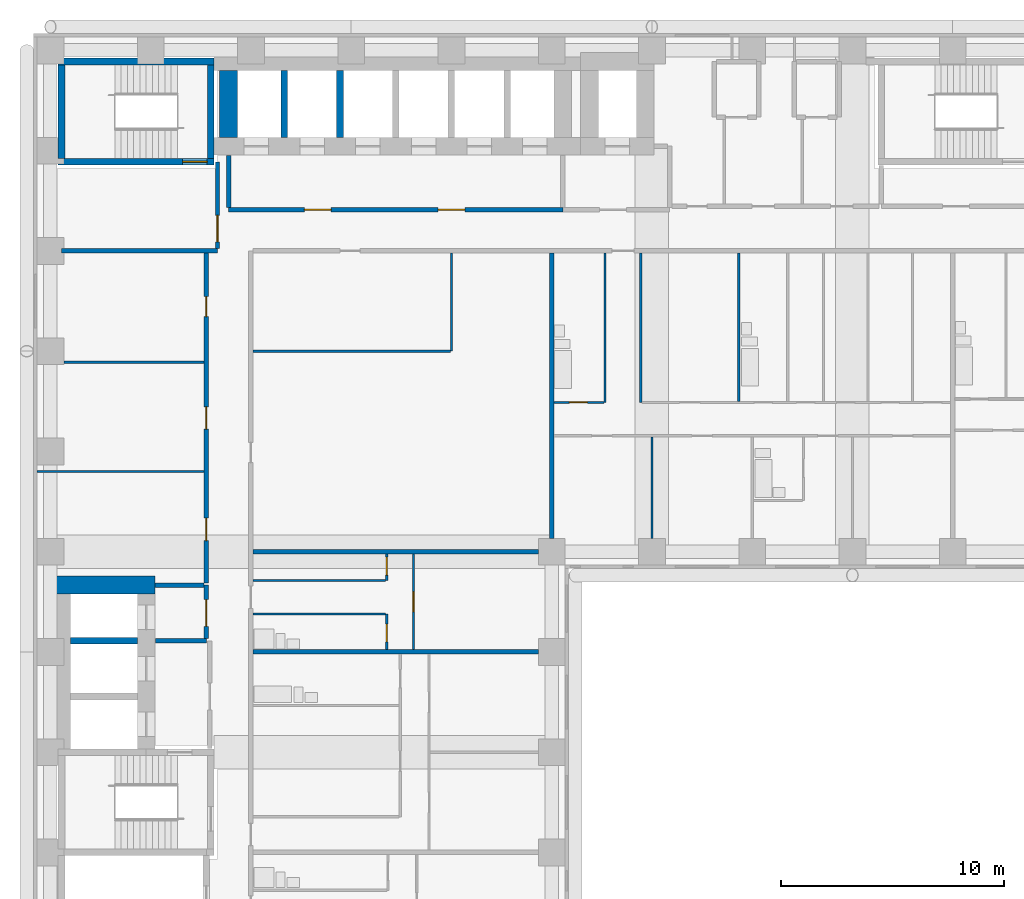
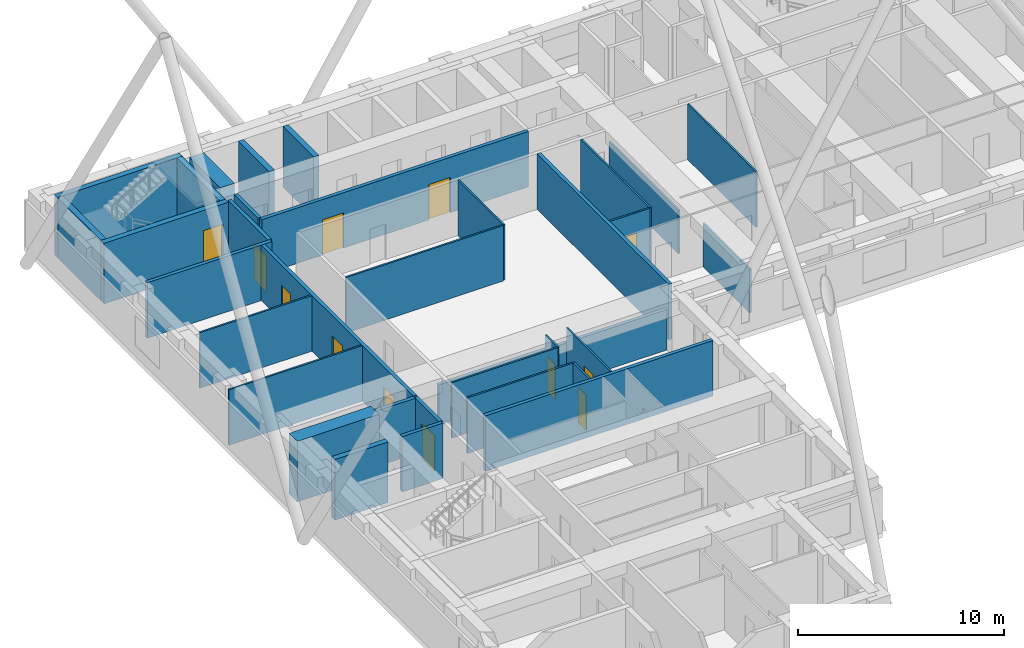
# One storey, part 5 of 13: 34 walls, 12 doors, 12 openings.
"""IFC4 building model written with IfcOpenShell, lengths in metres."""

from ifc_helpers import new_model, si_unit, direction, frame, frame_2d, origin, place, context, subcontext, project, spatial, rectangle, extrude, material, layer, layer_set, type_object, element, fill, save


model = new_model("IFC4")

# Units and contexts
model_context = context("Model", 3, precision=1e-05, world=origin(), true_north=direction((0.0, 1.0)))
body_context = subcontext(model_context, "Body", "Model", "MODEL_VIEW")
ifc_project = project(units=[si_unit("LENGTHUNIT", "METRE"), si_unit("AREAUNIT", "SQUARE_METRE"), si_unit("VOLUMEUNIT", "CUBIC_METRE"), si_unit("PLANEANGLEUNIT", "RADIAN"), si_unit("MASSUNIT", "GRAM", prefix="KILO")], contexts=[model_context])

# Site, building, storey
site_placement = place(None, origin())
site = spatial("IfcSite", under=ifc_project, at=site_placement, CompositionType="ELEMENT")
building_placement = place(site_placement, origin())
building = spatial("IfcBuilding", under=site, at=building_placement, Name="Firuza Court", CompositionType="ELEMENT")
storey_placement = place(building_placement, frame((0.0, 0.0, 50.60009765625)))
storey = spatial("IfcBuildingStorey", under=building, at=storey_placement, Name="L11", CompositionType="ELEMENT", Elevation=50.60009765625)

# Walls
ifc_material_1 = material(Name="Moisture-resistant gypsum board partition")
ifc_layer_1 = layer(ifc_material_1, 0.10009765625)
ifc_layer_set_1 = layer_set([ifc_layer_1], Name="Moisture-resistant gypsum board partition")
wall_type_1 = type_object("IfcWallType", Name="Bathroom partition 100", PredefinedType="PLUMBINGWALL", material=ifc_layer_set_1)
wall_1_placement = place(storey_placement, frame((9.10009765625, 33.199951171875, 0.0), z_axis=(0.0, 0.0, 1.0), x_axis=(1.0, 0.0, 0.0)))
element("IfcWall", 1, at=wall_1_placement, inside=storey, type_object=wall_type_1, Name="Bathroom partition 100 L11", PredefinedType="PLUMBINGWALL", context=body_context, shape_type="SweptSolid", body=[
    extrude(rectangle(XDim=5.949951171875, YDim=0.10009765625, at=frame_2d((2.97509765625, 0.0))), origin(), (0.0, 0.0, 1.0), 3.2998046875),
])
wall_2_placement = place(storey_placement, frame((24.89990234375, 42.699951171875, 0.0), z_axis=(0.0, 0.0, 1.0), x_axis=(0.0, 1.0, 0.0)))
element("IfcWall", 2, at=wall_2_placement, inside=storey, type_object=wall_type_1, Name="Bathroom partition 100 L11", PredefinedType="PLUMBINGWALL", context=body_context, shape_type="SweptSolid", body=[
    extrude(rectangle(XDim=6.699951171875, YDim=0.10009765625, at=frame_2d((3.35009765625, 0.0))), origin(), (0.0, 0.0, 1.0), 3.2998046875),
])
wall_3_placement = place(storey_placement, frame((30.89990234375, 42.75, 0.0), z_axis=(0.0, 0.0, 1.0), x_axis=(0.0, 1.0, 0.0)))
element("IfcWall", 3, at=wall_3_placement, inside=storey, type_object=wall_type_1, Name="Bathroom partition 100 L11", PredefinedType="PLUMBINGWALL", context=body_context, shape_type="SweptSolid", body=[
    extrude(rectangle(XDim=6.64990234375, YDim=0.10009765625, at=frame_2d((3.324951171875, 0.0))), origin(), (0.0, 0.0, 1.0), 3.2998046875),
])

# Wall, opening, door
ifc_material_2 = material(Name="Concrete C60/75", Category="concrete")
ifc_layer_2 = layer(ifc_material_2, 0.300048828125)
ifc_layer_set_2 = layer_set([ifc_layer_2], Name="Concrete C60/75")
wall_type_2 = type_object("IfcWallType", Name="Core wall 300 C60/75", PredefinedType="SHEAR", material=ifc_layer_set_2)
wall_4_placement = place(storey_placement, frame((0.35009765625, 53.5, -0.300048828125), z_axis=(0.0, 0.0, 1.0), x_axis=(1.0, 0.0, 0.0)))
wall_4 = element("IfcWall", 4, at=wall_4_placement, inside=storey, type_object=wall_type_2, Name="Core wall stair L11", PredefinedType="SHEAR", context=body_context, shape_type="SweptSolid", body=[
    extrude(rectangle(XDim=7.0, YDim=0.300048828125, at=frame_2d((3.5, 0.0))), origin(), (0.0, 0.0, 1.0), 3.599853515625),
])
opening_1_placement = place(wall_4_placement, frame((5.580078125, 0.0, 0.300048828125)))
opening_1 = element("IfcOpeningElement", 5, at=opening_1_placement, cuts=wall_4, Name="Opening D11016", PredefinedType="OPENING", context=body_context, shape_type="SweptSolid", body=[
    extrude(rectangle(XDim=1.10009765625, YDim=2.10009765625, at=frame_2d((0.550048828125, 1.050048828125))), frame((0.0, 0.162109375, 0.0), z_axis=(0.0, -1.0, 0.0), x_axis=(1.0, 0.0, 0.0)), (0.0, 0.0, 1.0), 0.323974609375),
])
ifc_material_3 = material(Name="Timber door leaf in hardwood frame", Category="wood")
door_type_1 = type_object("IfcDoorType", Name="Stair door 1100", OperationType="SINGLE_SWING_LEFT", PredefinedType="DOOR", material=ifc_material_3)
door_1_placement = place(opening_1_placement, origin())
door_1 = element("IfcDoor", 6, at=door_1_placement, inside=storey, type_object=door_type_1, Name="Stair door S3", OperationType="SINGLE_SWING_RIGHT", OverallHeight=2.10009765625, OverallWidth=1.10009765625, PredefinedType="DOOR", context=body_context, shape_type="SweptSolid", body=[
    extrude(rectangle(XDim=1.10009765625, YDim=2.10009765625, at=frame_2d((0.550048828125, 1.050048828125))), frame((0.0, 0.02490234375, 0.0), z_axis=(0.0, -1.0, 0.0), x_axis=(1.0, 0.0, 0.0)), (0.0, 0.0, 1.0), 0.050048828125),
])
fill(opening_1, door_1)

# Walls
wall_5_placement = place(storey_placement, frame((0.35009765625, 58.0, -0.300048828125), z_axis=(0.0, 0.0, 1.0), x_axis=(1.0, 0.0, 0.0)))
element("IfcWall", 7, at=wall_5_placement, inside=storey, type_object=wall_type_2, Name="Core wall stair L11", PredefinedType="SHEAR", context=body_context, shape_type="SweptSolid", body=[
    extrude(rectangle(XDim=7.0, YDim=0.300048828125, at=frame_2d((3.5, 0.0))), origin(), (0.0, 0.0, 1.0), 3.599853515625),
])
wall_6_placement = place(storey_placement, frame((0.5, 53.64990234375, -0.300048828125), z_axis=(0.0, 0.0, 1.0), x_axis=(0.0, 1.0, 0.0)))
element("IfcWall", 8, at=wall_6_placement, inside=storey, type_object=wall_type_2, Name="Core wall stair L11", PredefinedType="SHEAR", context=body_context, shape_type="SweptSolid", body=[
    extrude(rectangle(XDim=4.2001953125, YDim=0.300048828125, at=frame_2d((2.10009765625, 0.0))), origin(), (0.0, 0.0, 1.0), 3.599853515625),
])
wall_7_placement = place(storey_placement, frame((0.89990234375, 32.0, -0.300048828125), z_axis=(0.0, 0.0, 1.0), x_axis=(1.0, 0.0, 0.0)))
element("IfcWall", 9, at=wall_7_placement, inside=storey, type_object=wall_type_2, Name="Core wall lift shaft L11", PredefinedType="SHEAR", context=body_context, shape_type="SweptSolid", body=[
    extrude(rectangle(XDim=3.0, YDim=0.300048828125, at=frame_2d((1.5, 0.0))), origin(), (0.0, 0.0, 1.0), 3.599853515625),
])
wall_8_placement = place(storey_placement, frame((7.199951171875, 53.64990234375, -0.300048828125), z_axis=(0.0, 0.0, 1.0), x_axis=(0.0, 1.0, 0.0)))
element("IfcWall", 10, at=wall_8_placement, inside=storey, type_object=wall_type_2, Name="Core wall stair L11", PredefinedType="SHEAR", context=body_context, shape_type="SweptSolid", body=[
    extrude(rectangle(XDim=4.2001953125, YDim=0.300048828125, at=frame_2d((2.10009765625, 0.0))), origin(), (0.0, 0.0, 1.0), 3.599853515625),
])
for number, where, z_axis, x_axis, name in (
    (11, (10.5, 54.60009765625, -0.300048828125), (0.0, 0.0, 1.0), (0.0, 1.0, 0.0), "Core wall lift shaft L11"),
    (12, (13.0, 54.60009765625, -0.300048828125), (0.0, 0.0, 1.0), (0.0, 1.0, 0.0), "Core wall lift shaft L11"),
):
    element("IfcWall", number, at=place(storey_placement, frame(where, z_axis=z_axis, x_axis=x_axis)), inside=storey, type_object=wall_type_2, Name=name, PredefinedType="SHEAR", context=body_context, shape_type="SweptSolid", body=[
        extrude(rectangle(XDim=3.0, YDim=0.300048828125, at=frame_2d((1.5, 0.0))), origin(), (0.0, 0.0, 1.0), 3.599853515625),
    ])
ifc_layer_3 = layer(ifc_material_2, 0.800048828125)
ifc_layer_set_3 = layer_set([ifc_layer_3], Name="Concrete C60/75")
wall_type_3 = type_object("IfcWallType", Name="Core wall 800 C60/75", PredefinedType="SHEAR", material=ifc_layer_set_3)
wall_9_placement = place(storey_placement, frame((0.10009765625, 34.5, -0.300048828125), z_axis=(0.0, 0.0, 1.0), x_axis=(1.0, 0.0, 0.0)))
element("IfcWall", 13, at=wall_9_placement, inside=storey, type_object=wall_type_3, Name="Core wall lift shaft L11", PredefinedType="SHEAR", context=body_context, shape_type="SweptSolid", body=[
    extrude(rectangle(XDim=4.599853515625, YDim=0.800048828125, at=frame_2d((2.2998046875, 0.0))), origin(), (0.0, 0.0, 1.0), 3.599853515625),
])
wall_10_placement = place(storey_placement, frame((8.0, 54.60009765625, -0.300048828125), z_axis=(0.0, 0.0, 1.0), x_axis=(0.0, 1.0, 0.0)))
element("IfcWall", 14, at=wall_10_placement, inside=storey, type_object=wall_type_3, Name="Core wall lift shaft L11", PredefinedType="SHEAR", context=body_context, shape_type="SweptSolid", body=[
    extrude(rectangle(XDim=3.0, YDim=0.800048828125, at=frame_2d((1.5, 0.0))), origin(), (0.0, 0.0, 1.0), 3.599853515625),
])

# Wall, openings, doors
ifc_material_4 = material(Name="Blockwork, plastered both sides", Category="masonry")
ifc_layer_4 = layer(ifc_material_4, 0.199951171875)
ifc_layer_set_4 = layer_set([ifc_layer_4], Name="Blockwork, plastered both sides")
wall_type_4 = type_object("IfcWallType", Name="Corridor wall 200", PredefinedType="PARTITIONING", material=ifc_layer_set_4)
wall_11_placement = place(storey_placement, frame((7.0, 34.60009765625, 0.0), z_axis=(0.0, 0.0, 1.0), x_axis=(0.0, 1.0, 0.0)))
wall_11 = element("IfcWall", 15, at=wall_11_placement, inside=storey, type_object=wall_type_4, Name="Corridor wall 200 L11", PredefinedType="PARTITIONING", context=body_context, shape_type="SweptSolid", body=[
    extrude(rectangle(XDim=14.7998046875, YDim=0.199951171875, at=frame_2d((7.39990234375, 0.0))), origin(), (0.0, 0.0, 1.0), 3.2998046875),
])
opening_2_placement = place(wall_11_placement, frame((1.89990234375, 0.0, 0.0)))
opening_2 = element("IfcOpeningElement", 16, at=opening_2_placement, cuts=wall_11, Name="Opening D11039", PredefinedType="OPENING", context=body_context, shape_type="SweptSolid", body=[
    extrude(rectangle(XDim=1.0, YDim=2.10009765625, at=frame_2d((0.5, 1.050048828125))), frame((0.0, 0.11181640625, 0.0), z_axis=(0.0, -1.0, 0.0), x_axis=(1.0, 0.0, 0.0)), (0.0, 0.0, 1.0), 0.223876953125),
])
opening_3_placement = place(wall_11_placement, frame((6.89990234375, 0.0, 0.0)))
opening_3 = element("IfcOpeningElement", 17, at=opening_3_placement, cuts=wall_11, Name="Opening D11040", PredefinedType="OPENING", context=body_context, shape_type="SweptSolid", body=[
    extrude(rectangle(XDim=1.0, YDim=2.10009765625, at=frame_2d((0.5, 1.050048828125))), frame((0.0, 0.11181640625, 0.0), z_axis=(0.0, -1.0, 0.0), x_axis=(1.0, 0.0, 0.0)), (0.0, 0.0, 1.0), 0.223876953125),
])
opening_4_placement = place(wall_11_placement, frame((11.949951171875, 0.0, 0.0)))
opening_4 = element("IfcOpeningElement", 18, at=opening_4_placement, cuts=wall_11, Name="Opening D11041", PredefinedType="OPENING", context=body_context, shape_type="SweptSolid", body=[
    extrude(rectangle(XDim=0.89990234375, YDim=2.10009765625, at=frame_2d((0.449951171875, 1.050048828125))), frame((0.0, 0.11181640625, 0.0), z_axis=(0.0, -1.0, 0.0), x_axis=(1.0, 0.0, 0.0)), (0.0, 0.0, 1.0), 0.223876953125),
])
ifc_material_5 = material(Name="Timber door leaf in hardwood frame", Category="wood")
door_type_2 = type_object("IfcDoorType", Name="Room door 900 EI 30", OperationType="SINGLE_SWING_LEFT", PredefinedType="DOOR", material=ifc_material_5)
door_2_placement = place(opening_4_placement, origin())
door_2 = element("IfcDoor", 19, at=door_2_placement, inside=storey, type_object=door_type_2, Name="Meeting room door", OperationType="SINGLE_SWING_LEFT", OverallHeight=2.10009765625, OverallWidth=0.89990234375, PredefinedType="DOOR", context=body_context, shape_type="SweptSolid", body=[
    extrude(rectangle(XDim=0.89990234375, YDim=2.10009765625, at=frame_2d((0.449951171875, 1.050048828125))), frame((0.0, 0.02490234375, 0.0), z_axis=(0.0, -1.0, 0.0), x_axis=(1.0, 0.0, 0.0)), (0.0, 0.0, 1.0), 0.050048828125),
])
fill(opening_4, door_2)
ifc_material_6 = material(Name="Timber door leaf in hardwood frame", Category="wood")
door_type_3 = type_object("IfcDoorType", Name="Store door 1000", OperationType="SINGLE_SWING_LEFT", PredefinedType="DOOR", material=ifc_material_6)
door_3_placement = place(opening_2_placement, origin())
door_3 = element("IfcDoor", 20, at=door_3_placement, inside=storey, type_object=door_type_3, Name="Comms room door", OperationType="SINGLE_SWING_LEFT", OverallHeight=2.10009765625, OverallWidth=1.0, PredefinedType="DOOR", context=body_context, shape_type="SweptSolid", body=[
    extrude(rectangle(XDim=1.0, YDim=2.10009765625, at=frame_2d((0.5, 1.050048828125))), frame((0.0, 0.02490234375, 0.0), z_axis=(0.0, -1.0, 0.0), x_axis=(1.0, 0.0, 0.0)), (0.0, 0.0, 1.0), 0.050048828125),
])
fill(opening_2, door_3)
door_4_placement = place(opening_3_placement, origin())
door_4 = element("IfcDoor", 21, at=door_4_placement, inside=storey, type_object=door_type_3, Name="Bicycle store door", OperationType="SINGLE_SWING_LEFT", OverallHeight=2.10009765625, OverallWidth=1.0, PredefinedType="DOOR", context=body_context, shape_type="SweptSolid", body=[
    extrude(rectangle(XDim=1.0, YDim=2.10009765625, at=frame_2d((0.5, 1.050048828125))), frame((0.0, 0.02490234375, 0.0), z_axis=(0.0, -1.0, 0.0), x_axis=(1.0, 0.0, 0.0)), (0.0, 0.0, 1.0), 0.050048828125),
])
fill(opening_3, door_4)

# Wall, opening, door
ifc_material_7 = material(Name="Timber stud partition, plasterboard both sides", Category="wood")
ifc_layer_5 = layer(ifc_material_7, 0.10009765625)
ifc_layer_set_5 = layer_set([ifc_layer_5], Name="Timber stud partition, plasterboard both sides")
wall_type_5 = type_object("IfcWallType", Name="Partition wall 100", PredefinedType="PARTITIONING", material=ifc_layer_set_5)
wall_12_placement = place(storey_placement, frame((15.10009765625, 31.60009765625, 0.0), z_axis=(0.0, 0.0, 1.0), x_axis=(0.0, 1.0, 0.0)))
wall_12 = element("IfcWall", 22, at=wall_12_placement, inside=storey, type_object=wall_type_5, Name="Partition wall 100 L11", PredefinedType="PARTITIONING", context=body_context, shape_type="SweptSolid", body=[
    extrude(rectangle(XDim=1.599853515625, YDim=0.10009765625, at=frame_2d((0.7998046875, 0.0))), origin(), (0.0, 0.0, 1.0), 3.2998046875),
])
opening_5_placement = place(wall_12_placement, frame((0.35009765625, 0.0, 0.0)))
opening_5 = element("IfcOpeningElement", 23, at=opening_5_placement, cuts=wall_12, Name="Opening D11037", PredefinedType="OPENING", context=body_context, shape_type="SweptSolid", body=[
    extrude(rectangle(XDim=0.800048828125, YDim=2.10009765625, at=frame_2d((0.39990234375, 1.050048828125))), frame((0.0, 0.06201171875, 0.0), z_axis=(0.0, -1.0, 0.0), x_axis=(1.0, 0.0, 0.0)), (0.0, 0.0, 1.0), 0.1240234375),
])
ifc_material_8 = material(Name="Timber door leaf in hardwood frame", Category="wood")
door_type_4 = type_object("IfcDoorType", Name="Bathroom door 800", OperationType="SINGLE_SWING_LEFT", PredefinedType="DOOR", material=ifc_material_8)
door_5_placement = place(opening_5_placement, origin())
door_5 = element("IfcDoor", 24, at=door_5_placement, inside=storey, type_object=door_type_4, Name="Bathroom door", OperationType="SINGLE_SWING_LEFT", OverallHeight=2.10009765625, OverallWidth=0.800048828125, PredefinedType="DOOR", context=body_context, shape_type="SweptSolid", body=[
    extrude(rectangle(XDim=0.800048828125, YDim=2.10009765625, at=frame_2d((0.39990234375, 1.050048828125))), frame((0.0, 0.02490234375, 0.0), z_axis=(0.0, -1.0, 0.0), x_axis=(1.0, 0.0, 0.0)), (0.0, 0.0, 1.0), 0.050048828125),
])
fill(opening_5, door_5)

wall_13_placement = place(storey_placement, frame((16.300048828125, 31.60009765625, 0.0), z_axis=(0.0, 0.0, 1.0), x_axis=(0.0, 1.0, 0.0)))
wall_13 = element("IfcWall", 25, at=wall_13_placement, inside=storey, type_object=wall_type_5, Name="Partition wall 100 L11", PredefinedType="PARTITIONING", context=body_context, shape_type="SweptSolid", body=[
    extrude(rectangle(XDim=4.2998046875, YDim=0.10009765625, at=frame_2d((2.14990234375, 0.0))), origin(), (0.0, 0.0, 1.0), 3.2998046875),
])
opening_6_placement = place(wall_13_placement, frame((1.699951171875, 0.0, 0.0)))
opening_6 = element("IfcOpeningElement", 26, at=opening_6_placement, cuts=wall_13, Name="Opening D11038", PredefinedType="OPENING", context=body_context, shape_type="SweptSolid", body=[
    extrude(rectangle(XDim=0.89990234375, YDim=2.10009765625, at=frame_2d((0.449951171875, 1.050048828125))), frame((0.0, 0.06201171875, 0.0), z_axis=(0.0, -1.0, 0.0), x_axis=(1.0, 0.0, 0.0)), (0.0, 0.0, 1.0), 0.1240234375),
])
ifc_material_9 = material(Name="Timber door leaf in hardwood frame", Category="wood")
door_type_5 = type_object("IfcDoorType", Name="Room door 900", OperationType="SINGLE_SWING_LEFT", PredefinedType="DOOR", material=ifc_material_9)
door_6_placement = place(opening_6_placement, frame((0.89990234375, 0.0, 0.0), z_axis=(0.0, 0.0, 1.0), x_axis=(-1.0, 0.0, 0.0)))
door_6 = element("IfcDoor", 27, at=door_6_placement, inside=storey, type_object=door_type_5, Name="Studio room door", OperationType="SINGLE_SWING_RIGHT", OverallHeight=2.10009765625, OverallWidth=0.89990234375, PredefinedType="DOOR", context=body_context, shape_type="SweptSolid", body=[
    extrude(rectangle(XDim=0.89990234375, YDim=2.10009765625, at=frame_2d((0.449951171875, 1.050048828125))), frame((0.0, 0.02490234375, 0.0), z_axis=(0.0, -1.0, 0.0), x_axis=(1.0, 0.0, 0.0)), (0.0, 0.0, 1.0), 0.050048828125),
])
fill(opening_6, door_6)

# Wall
wall_14_placement = place(storey_placement, frame((9.10009765625, 34.699951171875, 0.0), z_axis=(0.0, 0.0, 1.0), x_axis=(1.0, 0.0, 0.0)))
element("IfcWall", 28, at=wall_14_placement, inside=storey, type_object=wall_type_5, Name="Partition wall 100 L11", PredefinedType="PARTITIONING", context=body_context, shape_type="SweptSolid", body=[
    extrude(rectangle(XDim=5.949951171875, YDim=0.10009765625, at=frame_2d((2.97509765625, 0.0))), origin(), (0.0, 0.0, 1.0), 3.2998046875),
])

# Wall, opening, door
wall_15_placement = place(storey_placement, frame((15.10009765625, 34.699951171875, 0.0), z_axis=(0.0, 0.0, 1.0), x_axis=(0.0, 1.0, 0.0)))
wall_15 = element("IfcWall", 29, at=wall_15_placement, inside=storey, type_object=wall_type_5, Name="Partition wall 100 L11", PredefinedType="PARTITIONING", context=body_context, shape_type="SweptSolid", body=[
    extrude(rectangle(XDim=1.199951171875, YDim=0.10009765625, at=frame_2d((0.60009765625, 0.0))), origin(), (0.0, 0.0, 1.0), 3.2998046875),
])
opening_7_placement = place(wall_15_placement, frame((0.25, 0.0, 0.0)))
opening_7 = element("IfcOpeningElement", 30, at=opening_7_placement, cuts=wall_15, Name="Opening D11042", PredefinedType="OPENING", context=body_context, shape_type="SweptSolid", body=[
    extrude(rectangle(XDim=0.800048828125, YDim=2.10009765625, at=frame_2d((0.39990234375, 1.050048828125))), frame((0.0, 0.06201171875, 0.0), z_axis=(0.0, -1.0, 0.0), x_axis=(1.0, 0.0, 0.0)), (0.0, 0.0, 1.0), 0.1240234375),
])
ifc_material_10 = material(Name="Timber door leaf in hardwood frame", Category="wood")
door_type_6 = type_object("IfcDoorType", Name="Room door 800", OperationType="SINGLE_SWING_LEFT", PredefinedType="DOOR", material=ifc_material_10)
door_7_placement = place(opening_7_placement, origin())
door_7 = element("IfcDoor", 31, at=door_7_placement, inside=storey, type_object=door_type_6, Name="Kitchen door", OperationType="SINGLE_SWING_LEFT", OverallHeight=2.10009765625, OverallWidth=0.800048828125, PredefinedType="DOOR", context=body_context, shape_type="SweptSolid", body=[
    extrude(rectangle(XDim=0.800048828125, YDim=2.10009765625, at=frame_2d((0.39990234375, 1.050048828125))), frame((0.0, 0.02490234375, 0.0), z_axis=(0.0, -1.0, 0.0), x_axis=(1.0, 0.0, 0.0)), (0.0, 0.0, 1.0), 0.050048828125),
])
fill(opening_7, door_7)

# Walls
wall_16_placement = place(storey_placement, frame((27.0, 36.60009765625, 0.0), z_axis=(0.0, 0.0, 1.0), x_axis=(0.0, 1.0, 0.0)))
element("IfcWall", 32, at=wall_16_placement, inside=storey, type_object=wall_type_5, Name="Partition wall 100 L11", PredefinedType="PARTITIONING", context=body_context, shape_type="SweptSolid", body=[
    extrude(rectangle(XDim=4.5498046875, YDim=0.10009765625, at=frame_2d((2.27490234375, 0.0))), origin(), (0.0, 0.0, 1.0), 2.599853515625),
])
wall_17_placement = place(storey_placement, frame((-0.60009765625, 39.60009765625, 0.0), z_axis=(0.0, 0.0, 1.0), x_axis=(1.0, 0.0, 0.0)))
element("IfcWall", 33, at=wall_17_placement, inside=storey, type_object=wall_type_5, Name="Partition wall 100 L11", PredefinedType="PARTITIONING", context=body_context, shape_type="SweptSolid", body=[
    extrude(rectangle(XDim=7.5, YDim=0.10009765625, at=frame_2d((3.75, 0.0))), origin(), (0.0, 0.0, 1.0), 3.2998046875),
])

# Wall, opening, door
wall_18_placement = place(storey_placement, frame((22.60009765625, 42.699951171875, 0.0), z_axis=(0.0, 0.0, 1.0), x_axis=(1.0, 0.0, 0.0)))
wall_18 = element("IfcWall", 34, at=wall_18_placement, inside=storey, type_object=wall_type_5, Name="Partition wall 100 L11", PredefinedType="PARTITIONING", context=body_context, shape_type="SweptSolid", body=[
    extrude(rectangle(XDim=2.25, YDim=0.10009765625, at=frame_2d((1.125, 0.0))), origin(), (0.0, 0.0, 1.0), 3.2998046875),
])
opening_8_placement = place(wall_18_placement, frame((0.699951171875, 0.0, 0.0)))
opening_8 = element("IfcOpeningElement", 35, at=opening_8_placement, cuts=wall_18, Name="Opening D11054", PredefinedType="OPENING", context=body_context, shape_type="SweptSolid", body=[
    extrude(rectangle(XDim=0.800048828125, YDim=2.10009765625, at=frame_2d((0.39990234375, 1.050048828125))), frame((0.0, 0.06201171875, 0.0), z_axis=(0.0, -1.0, 0.0), x_axis=(1.0, 0.0, 0.0)), (0.0, 0.0, 1.0), 0.1240234375),
])
door_8_placement = place(opening_8_placement, origin())
door_8 = element("IfcDoor", 36, at=door_8_placement, inside=storey, type_object=door_type_4, Name="Bathroom door", OperationType="SINGLE_SWING_LEFT", OverallHeight=2.10009765625, OverallWidth=0.800048828125, PredefinedType="DOOR", context=body_context, shape_type="SweptSolid", body=[
    extrude(rectangle(XDim=0.800048828125, YDim=2.10009765625, at=frame_2d((0.39990234375, 1.050048828125))), frame((0.0, 0.02490234375, 0.0), z_axis=(0.0, -1.0, 0.0), x_axis=(1.0, 0.0, 0.0)), (0.0, 0.0, 1.0), 0.050048828125),
])
fill(opening_8, door_8)

# Walls
wall_19_placement = place(storey_placement, frame((26.5, 42.699951171875, 0.0), z_axis=(0.0, 0.0, 1.0), x_axis=(0.0, 1.0, 0.0)))
element("IfcWall", 37, at=wall_19_placement, inside=storey, type_object=wall_type_5, Name="Partition wall 100 L11", PredefinedType="PARTITIONING", context=body_context, shape_type="SweptSolid", body=[
    extrude(rectangle(XDim=6.699951171875, YDim=0.10009765625, at=frame_2d((3.35009765625, 0.0))), origin(), (0.0, 0.0, 1.0), 2.599853515625),
])
wall_20_placement = place(storey_placement, frame((0.60009765625, 44.5, 0.0), z_axis=(0.0, 0.0, 1.0), x_axis=(1.0, 0.0, 0.0)))
element("IfcWall", 38, at=wall_20_placement, inside=storey, type_object=wall_type_5, Name="Partition wall 100 L11", PredefinedType="PARTITIONING", context=body_context, shape_type="SweptSolid", body=[
    extrude(rectangle(XDim=6.2998046875, YDim=0.10009765625, at=frame_2d((3.14990234375, 0.0))), origin(), (0.0, 0.0, 1.0), 3.2998046875),
])
wall_21_placement = place(storey_placement, frame((9.10009765625, 45.0, 0.0), z_axis=(0.0, 0.0, 1.0), x_axis=(1.0, 0.0, 0.0)))
element("IfcWall", 39, at=wall_21_placement, inside=storey, type_object=wall_type_5, Name="Partition wall 100 L11", PredefinedType="PARTITIONING", context=body_context, shape_type="SweptSolid", body=[
    extrude(rectangle(XDim=8.849853515625, YDim=0.10009765625, at=frame_2d((4.4248046875, 0.0))), origin(), (0.0, 0.0, 1.0), 3.2998046875),
])
wall_22_placement = place(storey_placement, frame((18.0, 45.0, 0.0), z_axis=(0.0, 0.0, 1.0), x_axis=(0.0, 1.0, 0.0)))
element("IfcWall", 40, at=wall_22_placement, inside=storey, type_object=wall_type_5, Name="Partition wall 100 L11", PredefinedType="PARTITIONING", context=body_context, shape_type="SweptSolid", body=[
    extrude(rectangle(XDim=4.39990234375, YDim=0.10009765625, at=frame_2d((2.199951171875, 0.0))), origin(), (0.0, 0.0, 1.0), 3.2998046875),
])
ifc_layer_6 = layer(ifc_material_4, 0.199951171875)
ifc_layer_set_6 = layer_set([ifc_layer_6], Name="Blockwork, plastered both sides")
wall_type_6 = type_object("IfcWallType", Name="Party wall 200", PredefinedType="PARTITIONING", material=ifc_layer_set_6)
wall_23_placement = place(storey_placement, frame((9.10009765625, 31.5, 0.0), z_axis=(0.0, 0.0, 1.0), x_axis=(1.0, 0.0, 0.0)))
element("IfcWall", 41, at=wall_23_placement, inside=storey, type_object=wall_type_6, Name="Party wall 200 L11", PredefinedType="PARTITIONING", context=body_context, shape_type="SweptSolid", body=[
    extrude(rectangle(XDim=12.7998046875, YDim=0.199951171875, at=frame_2d((6.39990234375, 0.0))), origin(), (0.0, 0.0, 1.0), 3.2998046875),
])
wall_24_placement = place(storey_placement, frame((9.10009765625, 36.0, 0.0), z_axis=(0.0, 0.0, 1.0), x_axis=(1.0, 0.0, 0.0)))
element("IfcWall", 42, at=wall_24_placement, inside=storey, type_object=wall_type_6, Name="Party wall 200 L11", PredefinedType="PARTITIONING", context=body_context, shape_type="SweptSolid", body=[
    extrude(rectangle(XDim=12.7998046875, YDim=0.199951171875, at=frame_2d((6.39990234375, 0.0))), origin(), (0.0, 0.0, 1.0), 2.39990234375),
])
wall_25_placement = place(storey_placement, frame((22.5, 36.60009765625, 0.0), z_axis=(0.0, 0.0, 1.0), x_axis=(0.0, 1.0, 0.0)))
element("IfcWall", 43, at=wall_25_placement, inside=storey, type_object=wall_type_6, Name="Party wall 200 L11", PredefinedType="PARTITIONING", context=body_context, shape_type="SweptSolid", body=[
    extrude(rectangle(XDim=12.7998046875, YDim=0.199951171875, at=frame_2d((6.39990234375, 0.0))), origin(), (0.0, 0.0, 1.0), 3.2998046875),
])

# Wall, openings, doors
ifc_material_11 = material(Name="Blockwork, fire-rated", Category="masonry")
ifc_layer_7 = layer(ifc_material_11, 0.199951171875)
ifc_layer_set_7 = layer_set([ifc_layer_7], Name="Blockwork, fire-rated")
wall_type_7 = type_object("IfcWallType", Name="Shaft wall 200", PredefinedType="PARTITIONING", material=ifc_layer_set_7)
wall_26_placement = place(storey_placement, frame((8.0, 51.35009765625, 0.0), z_axis=(0.0, 0.0, 1.0), x_axis=(1.0, 0.0, 0.0)))
wall_26 = element("IfcWall", 44, at=wall_26_placement, inside=storey, type_object=wall_type_7, Name="Shaft wall 200 L11", PredefinedType="PARTITIONING", context=body_context, shape_type="SweptSolid", body=[
    extrude(rectangle(XDim=15.0, YDim=0.199951171875, at=frame_2d((7.5, 0.0))), origin(), (0.0, 0.0, 1.0), 3.2998046875),
])
opening_9_placement = place(wall_26_placement, frame((3.39990234375, 0.0, 0.0)))
opening_9 = element("IfcOpeningElement", 45, at=opening_9_placement, cuts=wall_26, Name="Opening D11004", PredefinedType="OPENING", context=body_context, shape_type="SweptSolid", body=[
    extrude(rectangle(XDim=1.199951171875, YDim=2.10009765625, at=frame_2d((0.60009765625, 1.050048828125))), frame((0.0, 0.11181640625, 0.0), z_axis=(0.0, -1.0, 0.0), x_axis=(1.0, 0.0, 0.0)), (0.0, 0.0, 1.0), 0.223876953125),
])
opening_10_placement = place(wall_26_placement, frame((9.39990234375, 0.0, 0.0)))
opening_10 = element("IfcOpeningElement", 46, at=opening_10_placement, cuts=wall_26, Name="Opening D11005", PredefinedType="OPENING", context=body_context, shape_type="SweptSolid", body=[
    extrude(rectangle(XDim=1.199951171875, YDim=2.10009765625, at=frame_2d((0.60009765625, 1.050048828125))), frame((0.0, 0.11181640625, 0.0), z_axis=(0.0, -1.0, 0.0), x_axis=(1.0, 0.0, 0.0)), (0.0, 0.0, 1.0), 0.223876953125),
])
ifc_material_12 = material(Name="Timber door leaf in hardwood frame", Category="wood")
door_type_7 = type_object("IfcDoorType", Name="Lobby door 1200", OperationType="SINGLE_SWING_LEFT", PredefinedType="DOOR", material=ifc_material_12)
door_9_placement = place(opening_9_placement, origin())
door_9 = element("IfcDoor", 47, at=door_9_placement, inside=storey, type_object=door_type_7, Name="Lobby door", OperationType="SINGLE_SWING_LEFT", OverallHeight=2.10009765625, OverallWidth=1.199951171875, PredefinedType="DOOR", context=body_context, shape_type="SweptSolid", body=[
    extrude(rectangle(XDim=1.199951171875, YDim=2.10009765625, at=frame_2d((0.60009765625, 1.050048828125))), frame((0.0, 0.02490234375, 0.0), z_axis=(0.0, -1.0, 0.0), x_axis=(1.0, 0.0, 0.0)), (0.0, 0.0, 1.0), 0.050048828125),
])
fill(opening_9, door_9)
door_10_placement = place(opening_10_placement, origin())
door_10 = element("IfcDoor", 48, at=door_10_placement, inside=storey, type_object=door_type_7, Name="Lobby door", OperationType="SINGLE_SWING_RIGHT", OverallHeight=2.10009765625, OverallWidth=1.199951171875, PredefinedType="DOOR", context=body_context, shape_type="SweptSolid", body=[
    extrude(rectangle(XDim=1.199951171875, YDim=2.10009765625, at=frame_2d((0.60009765625, 1.050048828125))), frame((0.0, 0.02490234375, 0.0), z_axis=(0.0, -1.0, 0.0), x_axis=(1.0, 0.0, 0.0)), (0.0, 0.0, 1.0), 0.050048828125),
])
fill(opening_10, door_10)

# Walls
wall_27_placement = place(storey_placement, frame((8.0, 51.449951171875, 0.0), z_axis=(0.0, 0.0, 1.0), x_axis=(0.0, 1.0, 0.0)))
element("IfcWall", 49, at=wall_27_placement, inside=storey, type_object=wall_type_7, Name="Shaft wall 200 L11", PredefinedType="PARTITIONING", context=body_context, shape_type="SweptSolid", body=[
    extrude(rectangle(XDim=2.330078125, YDim=0.199951171875, at=frame_2d((1.1650390625, 0.0))), origin(), (0.0, 0.0, 1.0), 3.2998046875),
])
wall_28_placement = place(storey_placement, frame((4.719970703125, 32.0, 0.0), z_axis=(0.0, 0.0, 1.0), x_axis=(1.0, 0.0, 0.0)))
element("IfcWall", 50, at=wall_28_placement, inside=storey, type_object=wall_type_7, Name="Shaft wall 200 L11", PredefinedType="PARTITIONING", context=body_context, shape_type="SweptSolid", body=[
    extrude(rectangle(XDim=2.280029296875, YDim=0.199951171875, at=frame_2d((1.14013671875, 0.0))), origin(), (0.0, 0.0, 1.0), 3.2998046875),
])

# Wall, opening, door
wall_29_placement = place(storey_placement, frame((7.0, 32.10009765625, 0.0), z_axis=(0.0, 0.0, 1.0), x_axis=(0.0, 1.0, 0.0)))
wall_29 = element("IfcWall", 51, at=wall_29_placement, inside=storey, type_object=wall_type_7, Name="Shaft wall 200 L11", PredefinedType="PARTITIONING", context=body_context, shape_type="SweptSolid", body=[
    extrude(rectangle(XDim=2.39990234375, YDim=0.199951171875, at=frame_2d((1.199951171875, 0.0))), origin(), (0.0, 0.0, 1.0), 3.2998046875),
])
opening_11_placement = place(wall_29_placement, frame((0.550048828125, 0.0, 0.0)))
opening_11 = element("IfcOpeningElement", 52, at=opening_11_placement, cuts=wall_29, Name="Opening D11008", PredefinedType="OPENING", context=body_context, shape_type="SweptSolid", body=[
    extrude(rectangle(XDim=1.199951171875, YDim=2.10009765625, at=frame_2d((0.60009765625, 1.050048828125))), frame((0.0, 0.11181640625, 0.0), z_axis=(0.0, -1.0, 0.0), x_axis=(1.0, 0.0, 0.0)), (0.0, 0.0, 1.0), 0.223876953125),
])
door_11_placement = place(opening_11_placement, origin())
door_11 = element("IfcDoor", 53, at=door_11_placement, inside=storey, type_object=door_type_7, Name="Lobby door", OperationType="SINGLE_SWING_LEFT", OverallHeight=2.10009765625, OverallWidth=1.199951171875, PredefinedType="DOOR", context=body_context, shape_type="SweptSolid", body=[
    extrude(rectangle(XDim=1.199951171875, YDim=2.10009765625, at=frame_2d((0.60009765625, 1.050048828125))), frame((0.0, 0.02490234375, 0.0), z_axis=(0.0, -1.0, 0.0), x_axis=(1.0, 0.0, 0.0)), (0.0, 0.0, 1.0), 0.050048828125),
])
fill(opening_11, door_11)

# Walls
wall_30_placement = place(storey_placement, frame((4.699951171875, 34.5, 0.0), z_axis=(0.0, 0.0, 1.0), x_axis=(1.0, 0.0, 0.0)))
element("IfcWall", 54, at=wall_30_placement, inside=storey, type_object=wall_type_7, Name="Shaft wall 200 L11", PredefinedType="PARTITIONING", context=body_context, shape_type="SweptSolid", body=[
    extrude(rectangle(XDim=2.199951171875, YDim=0.199951171875, at=frame_2d((1.10009765625, 0.0))), origin(), (0.0, 0.0, 1.0), 3.2998046875),
])
wall_31_placement = place(storey_placement, frame((0.5, 49.5, 0.0), z_axis=(0.0, 0.0, 1.0), x_axis=(1.0, 0.0, 0.0)))
element("IfcWall", 55, at=wall_31_placement, inside=storey, type_object=wall_type_7, Name="Shaft wall 200 L11", PredefinedType="PARTITIONING", context=body_context, shape_type="SweptSolid", body=[
    extrude(rectangle(XDim=7.0, YDim=0.199951171875, at=frame_2d((3.5, 0.0))), origin(), (0.0, 0.0, 1.0), 3.2998046875),
])

# Wall, opening, door
wall_32_placement = place(storey_placement, frame((7.5, 49.60009765625, 0.0), z_axis=(0.0, 0.0, 1.0), x_axis=(0.0, 1.0, 0.0)))
wall_32 = element("IfcWall", 56, at=wall_32_placement, inside=storey, type_object=wall_type_7, Name="Shaft wall 200 L11", PredefinedType="PARTITIONING", context=body_context, shape_type="SweptSolid", body=[
    extrude(rectangle(XDim=3.89990234375, YDim=0.199951171875, at=frame_2d((1.949951171875, 0.0))), origin(), (0.0, 0.0, 1.0), 3.2998046875),
])
opening_12_placement = place(wall_32_placement, frame((0.300048828125, 0.0, 0.0)))
opening_12 = element("IfcOpeningElement", 57, at=opening_12_placement, cuts=wall_32, Name="Opening D11001", PredefinedType="OPENING", context=body_context, shape_type="SweptSolid", body=[
    extrude(rectangle(XDim=1.199951171875, YDim=2.10009765625, at=frame_2d((0.60009765625, 1.050048828125))), frame((0.0, 0.11181640625, 0.0), z_axis=(0.0, -1.0, 0.0), x_axis=(1.0, 0.0, 0.0)), (0.0, 0.0, 1.0), 0.223876953125),
])
door_12_placement = place(opening_12_placement, origin())
door_12 = element("IfcDoor", 58, at=door_12_placement, inside=storey, type_object=door_type_7, Name="Lobby door", OperationType="SINGLE_SWING_LEFT", OverallHeight=2.10009765625, OverallWidth=1.199951171875, PredefinedType="DOOR", context=body_context, shape_type="SweptSolid", body=[
    extrude(rectangle(XDim=1.199951171875, YDim=2.10009765625, at=frame_2d((0.60009765625, 1.050048828125))), frame((0.0, 0.02490234375, 0.0), z_axis=(0.0, -1.0, 0.0), x_axis=(1.0, 0.0, 0.0)), (0.0, 0.0, 1.0), 0.050048828125),
])
fill(opening_12, door_12)

save(model, "model.ifc")
